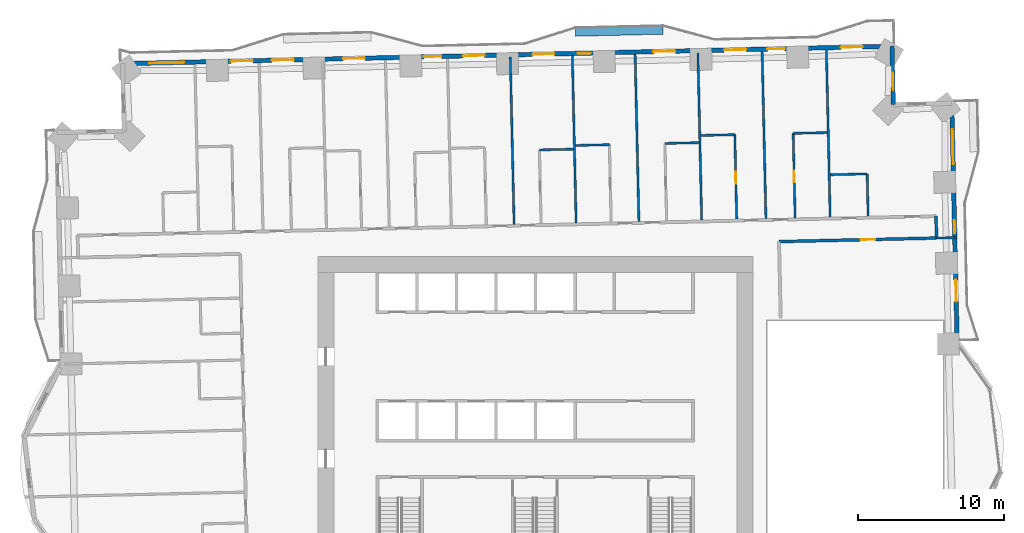
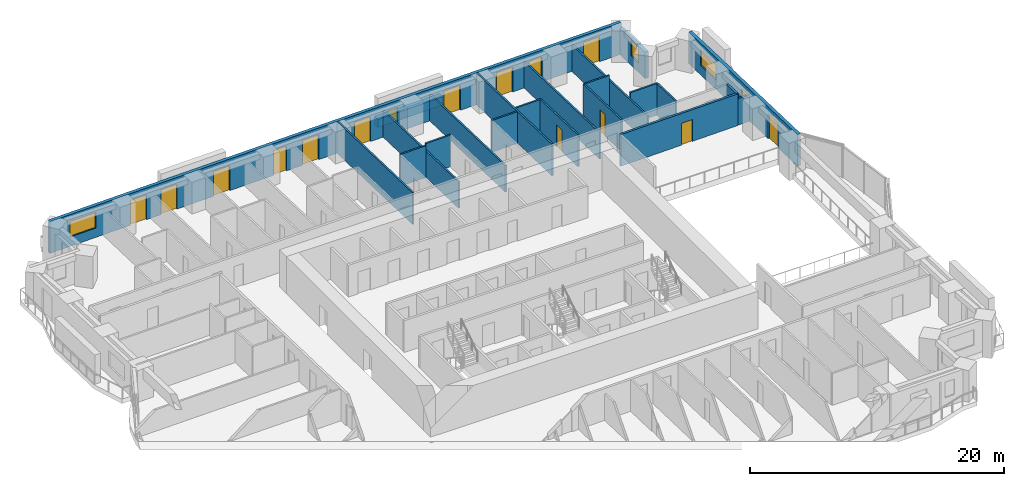
# One storey, part 11 of 16: 22 walls, 14 doors, 5 windows, 19 openings.
"""IFC4 building model written with IfcOpenShell, lengths in metres."""

from ifc_helpers import new_model, si_unit, direction, frame, frame_2d, origin, place, context, subcontext, project, spatial, rectangle, extrude, material, layer, layer_set, type_object, element, fill, save


model = new_model("IFC4")

# Units and contexts
model_context = context("Model", 3, precision=1e-05, world=origin(), true_north=direction((0.0, 1.0)))
body_context = subcontext(model_context, "Body", "Model", "MODEL_VIEW")
ifc_project = project(units=[si_unit("LENGTHUNIT", "METRE"), si_unit("AREAUNIT", "SQUARE_METRE"), si_unit("VOLUMEUNIT", "CUBIC_METRE"), si_unit("PLANEANGLEUNIT", "RADIAN"), si_unit("MASSUNIT", "GRAM", prefix="KILO")], contexts=[model_context])

# Site, building, storey
site_placement = place(None, origin())
site = spatial("IfcSite", under=ifc_project, at=site_placement, CompositionType="ELEMENT")
building_placement = place(site_placement, origin())
building = spatial("IfcBuilding", under=site, at=building_placement, Name="Mangrove Gate Tower", CompositionType="ELEMENT")
storey_placement = place(building_placement, frame((0.0, 0.0, 44.89990234375)))
storey = spatial("IfcBuildingStorey", under=building, at=storey_placement, Name="L10", CompositionType="ELEMENT", Elevation=44.89990234375)

# Wall, opening, door
ifc_material_1 = material(Name="Gypsum board on steel stud, EI 60", Category="steel")
ifc_layer_1 = layer(ifc_material_1, 0.199951171875)
ifc_layer_set_1 = layer_set([ifc_layer_1], Name="Corridor wall EI 60")
wall_type_1 = type_object("IfcWallType", Name="Corridor wall EI 60", PredefinedType="PARTITIONING", material=ifc_layer_set_1)
wall_1_placement = place(storey_placement, frame((16.678955078125, 12.91796875, 0.0), z_axis=(0.0, 0.0, 1.0), x_axis=(0.999742162372, 0.022707020428, 0.0)))
wall_1 = element("IfcWall", 1, at=wall_1_placement, inside=storey, type_object=wall_type_1, Name="WALL-L10-058", PredefinedType="PARTITIONING", context=body_context, shape_type="SweptSolid", body=[
    extrude(rectangle(XDim=10.794677734375, YDim=0.199951171875, at=frame_2d((5.3974609375, 0.0))), origin(), (0.0, 0.0, 1.0), 3.050048828125),
])
opening_1_placement = place(wall_1_placement, frame((5.597900390625, 0.0, 0.0)))
opening_1 = element("IfcOpeningElement", 2, at=opening_1_placement, cuts=wall_1, Name="Opening AD", PredefinedType="OPENING", context=body_context, shape_type="SweptSolid", body=[
    extrude(rectangle(XDim=1.0, YDim=2.10009765625, at=frame_2d((0.5, 1.050048828125))), frame((0.0, 0.10986328125, 0.0), z_axis=(0.0, -1.0, 0.0), x_axis=(1.0, 0.0, 0.0)), (0.0, 0.0, 1.0), 0.219970703125),
])
ifc_material_2 = material(Name="Timber door leaf", Category="wood")
door_type_1 = type_object("IfcDoorType", Name="Amenity door 1000", OperationType="SINGLE_SWING_LEFT", PredefinedType="DOOR", material=ifc_material_2)
door_1_placement = place(opening_1_placement, origin())
door_1 = element("IfcDoor", 3, at=door_1_placement, inside=storey, type_object=door_type_1, Name="DOOR-L10-KIT-c3b", OperationType="SINGLE_SWING_LEFT", OverallHeight=2.10009765625, OverallWidth=1.0, PredefinedType="DOOR", context=body_context, shape_type="SweptSolid", body=[
    extrude(rectangle(XDim=1.0, YDim=2.10009765625, at=frame_2d((0.5, 1.050048828125))), frame((0.0, 0.02490234375, 0.0), z_axis=(0.0, -1.0, 0.0), x_axis=(1.0, 0.0, 0.0)), (0.0, 0.0, 1.0), 0.050048828125),
])
fill(opening_1, door_1)

# Wall
wall_2_placement = place(storey_placement, frame((27.470947265625, 13.1630859375, 0.0), z_axis=(0.0, 0.0, 1.0), x_axis=(-0.022617910375, 0.999744182344, 0.0)))
element("IfcWall", 4, at=wall_2_placement, inside=storey, type_object=wall_type_1, Name="WALL-L10-060", PredefinedType="PARTITIONING", context=body_context, shape_type="SweptSolid", body=[
    extrude(rectangle(XDim=1.50048828125, YDim=0.199951171875, at=frame_2d((0.750244140625, 0.0))), origin(), (0.0, 0.0, 1.0), 3.050048828125),
])

# Wall, openings, door, windows
ifc_material_3 = material(Name="Limestone", Category="masonry")
ifc_layer_2 = layer(ifc_material_3, 0.0400390625, Name="Limestone cladding")
ifc_material_4 = material(Name="Ventilated air gap")
ifc_layer_3 = layer(ifc_material_4, 0.0400390625, Name="Ventilated cavity")
ifc_material_5 = material(Name="Mineral wool insulation")
ifc_layer_4 = layer(ifc_material_5, 0.06005859375, Name="Insulation")
ifc_material_6 = material(Name="Breather membrane")
ifc_layer_5 = layer(ifc_material_6, 0.001953125, Name="Breather membrane")
ifc_material_7 = material(Name="Concrete C20/25 blockwork", Category="masonry")
ifc_layer_6 = layer(ifc_material_7, 0.14990234375, Name="Blockwork backing wall")
ifc_material_8 = material(Name="Gypsum plaster")
ifc_layer_7 = layer(ifc_material_8, 0.008056640625, Name="Internal plaster")
ifc_layer_set_2 = layer_set([ifc_layer_2, ifc_layer_3, ifc_layer_4, ifc_layer_5, ifc_layer_6, ifc_layer_7], Name="External wall 300 limestone cladding")
wall_type_2 = type_object("IfcWallType", Name="External wall 300 limestone cladding", PredefinedType="SOLIDWALL", material=ifc_layer_set_2)
wall_3_placement = place(storey_placement, frame((28.886962890625, 5.864013671875, 0.0), z_axis=(0.0, 0.0, 1.0), x_axis=(-0.022687182773, 0.999742612745, 0.0)))
wall_3 = element("IfcWall", 5, at=wall_3_placement, inside=storey, type_object=wall_type_2, Name="WALL-L10-E2", PredefinedType="SOLIDWALL", context=body_context, shape_type="SweptSolid", body=[
    extrude(rectangle(XDim=16.529052734375, YDim=0.300048828125, at=frame_2d((8.2646484375, 0.0))), origin(), (0.0, 0.0, 1.0), 3.050048828125),
])
opening_2_placement = place(wall_3_placement, frame((2.94189453125, 0.0, 0.0)))
opening_2 = element("IfcOpeningElement", 6, at=opening_2_placement, cuts=wall_3, Name="Opening BD1", PredefinedType="OPENING", context=body_context, shape_type="SweptSolid", body=[
    extrude(rectangle(XDim=1.5, YDim=2.39990234375, at=frame_2d((0.75, 1.199951171875))), frame((0.0, 0.159912109375, 0.0), z_axis=(0.0, -1.0, 0.0), x_axis=(1.0, 0.0, 0.0)), (0.0, 0.0, 1.0), 0.320068359375),
])
opening_3_placement = place(wall_3_placement, frame((7.62890625, 0.0, 0.89990234375)))
opening_3 = element("IfcOpeningElement", 7, at=opening_3_placement, cuts=wall_3, Name="Opening W5", PredefinedType="OPENING", context=body_context, shape_type="SweptSolid", body=[
    extrude(rectangle(XDim=0.89990234375, YDim=1.5, at=frame_2d((0.449951171875, 0.75))), frame((0.0, 0.159912109375, 0.0), z_axis=(0.0, -1.0, 0.0), x_axis=(1.0, 0.0, 0.0)), (0.0, 0.0, 1.0), 0.320068359375),
])
opening_4_placement = place(wall_3_placement, frame((12.341064453125, 0.0, 0.89990234375)))
opening_4 = element("IfcOpeningElement", 8, at=opening_4_placement, cuts=wall_3, Name="Opening W2", PredefinedType="OPENING", context=body_context, shape_type="SweptSolid", body=[
    extrude(rectangle(XDim=2.39990234375, YDim=1.5, at=frame_2d((1.199951171875, 0.75))), frame((0.0, 0.159912109375, 0.0), z_axis=(0.0, -1.0, 0.0), x_axis=(1.0, 0.0, 0.0)), (0.0, 0.0, 1.0), 0.320068359375),
])
ifc_material_9 = material(Name="Aluminium frame with laminated clear glass", Category="aluminium")
door_type_2 = type_object("IfcDoorType", Name="Balcony sliding door 1500x2400", OperationType="SLIDING_TO_LEFT", PredefinedType="DOOR", material=ifc_material_9)
door_2_placement = place(opening_2_placement, origin())
door_2 = element("IfcDoor", 9, at=door_2_placement, inside=storey, type_object=door_type_2, Name="DOOR-L10-E2-1", OperationType="SLIDING_TO_LEFT", OverallHeight=2.39990234375, OverallWidth=1.5, PredefinedType="DOOR", context=body_context, shape_type="SweptSolid", body=[
    extrude(rectangle(XDim=1.5, YDim=2.39990234375, at=frame_2d((0.75, 1.199951171875))), frame((0.0, 0.02490234375, 0.0), z_axis=(0.0, -1.0, 0.0), x_axis=(1.0, 0.0, 0.0)), (0.0, 0.0, 1.0), 0.050048828125),
])
fill(opening_2, door_2)
ifc_material_10 = material(Name="Aluminium frame with double-glazed low-e glass", Category="aluminium")
window_type_1 = type_object("IfcWindowType", Name="Corner room window 2400x1500", PartitioningType="DOUBLE_PANEL_VERTICAL", PredefinedType="WINDOW", material=ifc_material_10)
window_1_placement = place(opening_4_placement, origin())
window_1 = element("IfcWindow", 10, at=window_1_placement, inside=storey, type_object=window_type_1, Name="WIN-L10-E2-3", OverallHeight=1.5, OverallWidth=2.39990234375, PartitioningType="DOUBLE_PANEL_VERTICAL", PredefinedType="WINDOW", context=body_context, shape_type="SweptSolid", body=[
    extrude(rectangle(XDim=2.39990234375, YDim=1.5, at=frame_2d((1.199951171875, 0.75))), frame((0.0, 0.030029296875, 0.0), z_axis=(0.0, -1.0, 0.0), x_axis=(1.0, 0.0, 0.0)), (0.0, 0.0, 1.0), 0.06005859375),
])
fill(opening_4, window_1)
ifc_material_11 = material(Name="Aluminium frame with double-glazed low-e glass", Category="aluminium")
window_type_2 = type_object("IfcWindowType", Name="Narrow window 900x1500", PartitioningType="SINGLE_PANEL", PredefinedType="WINDOW", material=ifc_material_11)
window_2_placement = place(opening_3_placement, origin())
window_2 = element("IfcWindow", 11, at=window_2_placement, inside=storey, type_object=window_type_2, Name="WIN-L10-E2-2", OverallHeight=1.5, OverallWidth=0.89990234375, PartitioningType="SINGLE_PANEL", PredefinedType="WINDOW", context=body_context, shape_type="SweptSolid", body=[
    extrude(rectangle(XDim=0.89990234375, YDim=1.5, at=frame_2d((0.449951171875, 0.75))), frame((0.0, 0.030029296875, 0.0), z_axis=(0.0, -1.0, 0.0), x_axis=(1.0, 0.0, 0.0)), (0.0, 0.0, 1.0), 0.06005859375),
])
fill(opening_3, window_2)

# Wall, opening, window
wall_4_placement = place(storey_placement, frame((24.512939453125, 22.299072265625, 0.0), z_axis=(0.0, 0.0, 1.0), x_axis=(-0.022460754759, 0.999747725427, 0.0)))
wall_4 = element("IfcWall", 12, at=wall_4_placement, inside=storey, type_object=wall_type_2, Name="WALL-L10-E4", PredefinedType="SOLIDWALL", context=body_context, shape_type="SweptSolid", body=[
    extrude(rectangle(XDim=4.0, YDim=0.300048828125, at=frame_2d((2.0, 0.0))), origin(), (0.0, 0.0, 1.0), 2.550048828125),
])
opening_5_placement = place(wall_4_placement, frame((0.97900390625, 0.0, 0.89990234375)))
opening_5 = element("IfcOpeningElement", 13, at=opening_5_placement, cuts=wall_4, Name="Opening W1", PredefinedType="OPENING", context=body_context, shape_type="SweptSolid", body=[
    extrude(rectangle(XDim=1.199951171875, YDim=1.5, at=frame_2d((0.60009765625, 0.75))), frame((0.0, 0.159912109375, 0.0), z_axis=(0.0, -1.0, 0.0), x_axis=(1.0, 0.0, 0.0)), (0.0, 0.0, 1.0), 0.320068359375),
])
ifc_material_12 = material(Name="Aluminium frame with double-glazed low-e glass", Category="aluminium")
window_type_3 = type_object("IfcWindowType", Name="Side lite 1200x1500", PartitioningType="SINGLE_PANEL", PredefinedType="WINDOW", material=ifc_material_12)
window_3_placement = place(opening_5_placement, origin())
window_3 = element("IfcWindow", 14, at=window_3_placement, inside=storey, type_object=window_type_3, Name="WIN-L10-E4-1", OverallHeight=1.5, OverallWidth=1.199951171875, PartitioningType="SINGLE_PANEL", PredefinedType="WINDOW", context=body_context, shape_type="SweptSolid", body=[
    extrude(rectangle(XDim=1.199951171875, YDim=1.5, at=frame_2d((0.60009765625, 0.75))), frame((0.0, 0.030029296875, 0.0), z_axis=(0.0, -1.0, 0.0), x_axis=(1.0, 0.0, 0.0)), (0.0, 0.0, 1.0), 0.06005859375),
])
fill(opening_5, window_3)

# Wall, openings, doors, windows
wall_5_placement = place(storey_placement, frame((24.423095703125, 26.298095703125, 0.0), z_axis=(0.0, 0.0, 1.0), x_axis=(-0.999742433108, -0.022695097355, 0.0)))
wall_5 = element("IfcWall", 15, at=wall_5_placement, inside=storey, type_object=wall_type_2, Name="WALL-L10-N5", PredefinedType="SOLIDWALL", context=body_context, shape_type="SweptSolid", body=[
    extrude(rectangle(XDim=52.70068359375, YDim=0.300048828125, at=frame_2d((26.350341796875, 0.0))), origin(), (0.0, 0.0, 1.0), 3.050048828125),
])
opening_6_placement = place(wall_5_placement, frame((2.009033203125, 0.0, 0.0)))
opening_6 = element("IfcOpeningElement", 16, at=opening_6_placement, cuts=wall_5, Name="Opening BD1", PredefinedType="OPENING", context=body_context, shape_type="SweptSolid", body=[
    extrude(rectangle(XDim=1.5, YDim=2.39990234375, at=frame_2d((0.75, 1.199951171875))), frame((0.0, 0.159912109375, 0.0), z_axis=(0.0, -1.0, 0.0), x_axis=(1.0, 0.0, 0.0)), (0.0, 0.0, 1.0), 0.320068359375),
])
opening_7_placement = place(wall_5_placement, frame((7.3369140625, 0.0, 0.0)))
opening_7 = element("IfcOpeningElement", 17, at=opening_7_placement, cuts=wall_5, Name="Opening BD2", PredefinedType="OPENING", context=body_context, shape_type="SweptSolid", body=[
    extrude(rectangle(XDim=1.199951171875, YDim=2.39990234375, at=frame_2d((0.60009765625, 1.199951171875))), frame((0.0, 0.159912109375, 0.0), z_axis=(0.0, -1.0, 0.0), x_axis=(1.0, 0.0, 0.0)), (0.0, 0.0, 1.0), 0.320068359375),
])
opening_8_placement = place(wall_5_placement, frame((10.0, 0.0, 0.0)))
opening_8 = element("IfcOpeningElement", 18, at=opening_8_placement, cuts=wall_5, Name="Opening BD1", PredefinedType="OPENING", context=body_context, shape_type="SweptSolid", body=[
    extrude(rectangle(XDim=1.5, YDim=2.39990234375, at=frame_2d((0.75, 1.199951171875))), frame((0.0, 0.159912109375, 0.0), z_axis=(0.0, -1.0, 0.0), x_axis=(1.0, 0.0, 0.0)), (0.0, 0.0, 1.0), 0.320068359375),
])
opening_9_placement = place(wall_5_placement, frame((14.85009765625, 0.0, 0.0)))
opening_9 = element("IfcOpeningElement", 19, at=opening_9_placement, cuts=wall_5, Name="Opening BD1", PredefinedType="OPENING", context=body_context, shape_type="SweptSolid", body=[
    extrude(rectangle(XDim=1.5, YDim=2.39990234375, at=frame_2d((0.75, 1.199951171875))), frame((0.0, 0.159912109375, 0.0), z_axis=(0.0, -1.0, 0.0), x_axis=(1.0, 0.0, 0.0)), (0.0, 0.0, 1.0), 0.320068359375),
])
opening_10_placement = place(wall_5_placement, frame((20.637939453125, 0.0, 0.89990234375)))
opening_10 = element("IfcOpeningElement", 20, at=opening_10_placement, cuts=wall_5, Name="Opening W5", PredefinedType="OPENING", context=body_context, shape_type="SweptSolid", body=[
    extrude(rectangle(XDim=0.89990234375, YDim=1.5, at=frame_2d((0.449951171875, 0.75))), frame((0.0, 0.159912109375, 0.0), z_axis=(0.0, -1.0, 0.0), x_axis=(1.0, 0.0, 0.0)), (0.0, 0.0, 1.0), 0.320068359375),
])
opening_11_placement = place(wall_5_placement, frame((23.125, 0.0, 0.0)))
opening_11 = element("IfcOpeningElement", 21, at=opening_11_placement, cuts=wall_5, Name="Opening BD1", PredefinedType="OPENING", context=body_context, shape_type="SweptSolid", body=[
    extrude(rectangle(XDim=1.5, YDim=2.39990234375, at=frame_2d((0.75, 1.199951171875))), frame((0.0, 0.159912109375, 0.0), z_axis=(0.0, -1.0, 0.0), x_axis=(1.0, 0.0, 0.0)), (0.0, 0.0, 1.0), 0.320068359375),
])
opening_12_placement = place(wall_5_placement, frame((27.89990234375, 0.0, 0.0)))
opening_12 = element("IfcOpeningElement", 22, at=opening_12_placement, cuts=wall_5, Name="Opening BD1", PredefinedType="OPENING", context=body_context, shape_type="SweptSolid", body=[
    extrude(rectangle(XDim=1.5, YDim=2.39990234375, at=frame_2d((0.75, 1.199951171875))), frame((0.0, 0.159912109375, 0.0), z_axis=(0.0, -1.0, 0.0), x_axis=(1.0, 0.0, 0.0)), (0.0, 0.0, 1.0), 0.320068359375),
])
opening_13_placement = place(wall_5_placement, frame((30.862060546875, 0.0, 0.0)))
opening_13 = element("IfcOpeningElement", 23, at=opening_13_placement, cuts=wall_5, Name="Opening BD2", PredefinedType="OPENING", context=body_context, shape_type="SweptSolid", body=[
    extrude(rectangle(XDim=1.199951171875, YDim=2.39990234375, at=frame_2d((0.60009765625, 1.199951171875))), frame((0.0, 0.159912109375, 0.0), z_axis=(0.0, -1.0, 0.0), x_axis=(1.0, 0.0, 0.0)), (0.0, 0.0, 1.0), 0.320068359375),
])
opening_14_placement = place(wall_5_placement, frame((36.10009765625, 0.0, 0.0)))
opening_14 = element("IfcOpeningElement", 24, at=opening_14_placement, cuts=wall_5, Name="Opening BD1", PredefinedType="OPENING", context=body_context, shape_type="SweptSolid", body=[
    extrude(rectangle(XDim=1.5, YDim=2.39990234375, at=frame_2d((0.75, 1.199951171875))), frame((0.0, 0.159912109375, 0.0), z_axis=(0.0, -1.0, 0.0), x_axis=(1.0, 0.0, 0.0)), (0.0, 0.0, 1.0), 0.320068359375),
])
opening_15_placement = place(wall_5_placement, frame((40.97509765625, 0.0, 0.0)))
opening_15 = element("IfcOpeningElement", 25, at=opening_15_placement, cuts=wall_5, Name="Opening BD1", PredefinedType="OPENING", context=body_context, shape_type="SweptSolid", body=[
    extrude(rectangle(XDim=1.5, YDim=2.39990234375, at=frame_2d((0.75, 1.199951171875))), frame((0.0, 0.159912109375, 0.0), z_axis=(0.0, -1.0, 0.0), x_axis=(1.0, 0.0, 0.0)), (0.0, 0.0, 1.0), 0.320068359375),
])
opening_16_placement = place(wall_5_placement, frame((43.7880859375, 0.0, 0.0)))
opening_16 = element("IfcOpeningElement", 26, at=opening_16_placement, cuts=wall_5, Name="Opening BD1", PredefinedType="OPENING", context=body_context, shape_type="SweptSolid", body=[
    extrude(rectangle(XDim=1.5, YDim=2.39990234375, at=frame_2d((0.75, 1.199951171875))), frame((0.0, 0.159912109375, 0.0), z_axis=(0.0, -1.0, 0.0), x_axis=(1.0, 0.0, 0.0)), (0.0, 0.0, 1.0), 0.320068359375),
])
opening_17_placement = place(wall_5_placement, frame((48.464111328125, 0.0, 0.89990234375)))
opening_17 = element("IfcOpeningElement", 27, at=opening_17_placement, cuts=wall_5, Name="Opening W2", PredefinedType="OPENING", context=body_context, shape_type="SweptSolid", body=[
    extrude(rectangle(XDim=2.39990234375, YDim=1.5, at=frame_2d((1.199951171875, 0.75))), frame((0.0, 0.159912109375, 0.0), z_axis=(0.0, -1.0, 0.0), x_axis=(1.0, 0.0, 0.0)), (0.0, 0.0, 1.0), 0.320068359375),
])
ifc_material_13 = material(Name="Aluminium frame with laminated clear glass", Category="aluminium")
door_type_3 = type_object("IfcDoorType", Name="Balcony sliding door 1200x2400", OperationType="SLIDING_TO_LEFT", PredefinedType="DOOR", material=ifc_material_13)
door_3_placement = place(opening_7_placement, origin())
door_3 = element("IfcDoor", 28, at=door_3_placement, inside=storey, type_object=door_type_3, Name="DOOR-L10-N5-2", OperationType="SLIDING_TO_LEFT", OverallHeight=2.39990234375, OverallWidth=1.199951171875, PredefinedType="DOOR", context=body_context, shape_type="SweptSolid", body=[
    extrude(rectangle(XDim=1.199951171875, YDim=2.39990234375, at=frame_2d((0.60009765625, 1.199951171875))), frame((0.0, 0.02490234375, 0.0), z_axis=(0.0, -1.0, 0.0), x_axis=(1.0, 0.0, 0.0)), (0.0, 0.0, 1.0), 0.050048828125),
])
fill(opening_7, door_3)
door_4_placement = place(opening_13_placement, origin())
door_4 = element("IfcDoor", 29, at=door_4_placement, inside=storey, type_object=door_type_3, Name="DOOR-L10-N5-8", OperationType="SLIDING_TO_LEFT", OverallHeight=2.39990234375, OverallWidth=1.199951171875, PredefinedType="DOOR", context=body_context, shape_type="SweptSolid", body=[
    extrude(rectangle(XDim=1.199951171875, YDim=2.39990234375, at=frame_2d((0.60009765625, 1.199951171875))), frame((0.0, 0.02490234375, 0.0), z_axis=(0.0, -1.0, 0.0), x_axis=(1.0, 0.0, 0.0)), (0.0, 0.0, 1.0), 0.050048828125),
])
fill(opening_13, door_4)
door_5_placement = place(opening_6_placement, origin())
door_5 = element("IfcDoor", 30, at=door_5_placement, inside=storey, type_object=door_type_2, Name="DOOR-L10-N5-1", OperationType="SLIDING_TO_LEFT", OverallHeight=2.39990234375, OverallWidth=1.5, PredefinedType="DOOR", context=body_context, shape_type="SweptSolid", body=[
    extrude(rectangle(XDim=1.5, YDim=2.39990234375, at=frame_2d((0.75, 1.199951171875))), frame((0.0, 0.02490234375, 0.0), z_axis=(0.0, -1.0, 0.0), x_axis=(1.0, 0.0, 0.0)), (0.0, 0.0, 1.0), 0.050048828125),
])
fill(opening_6, door_5)
door_6_placement = place(opening_8_placement, origin())
door_6 = element("IfcDoor", 31, at=door_6_placement, inside=storey, type_object=door_type_2, Name="DOOR-L10-N5-3", OperationType="SLIDING_TO_LEFT", OverallHeight=2.39990234375, OverallWidth=1.5, PredefinedType="DOOR", context=body_context, shape_type="SweptSolid", body=[
    extrude(rectangle(XDim=1.5, YDim=2.39990234375, at=frame_2d((0.75, 1.199951171875))), frame((0.0, 0.02490234375, 0.0), z_axis=(0.0, -1.0, 0.0), x_axis=(1.0, 0.0, 0.0)), (0.0, 0.0, 1.0), 0.050048828125),
])
fill(opening_8, door_6)
door_7_placement = place(opening_9_placement, origin())
door_7 = element("IfcDoor", 32, at=door_7_placement, inside=storey, type_object=door_type_2, Name="DOOR-L10-N5-4", OperationType="SLIDING_TO_LEFT", OverallHeight=2.39990234375, OverallWidth=1.5, PredefinedType="DOOR", context=body_context, shape_type="SweptSolid", body=[
    extrude(rectangle(XDim=1.5, YDim=2.39990234375, at=frame_2d((0.75, 1.199951171875))), frame((0.0, 0.02490234375, 0.0), z_axis=(0.0, -1.0, 0.0), x_axis=(1.0, 0.0, 0.0)), (0.0, 0.0, 1.0), 0.050048828125),
])
fill(opening_9, door_7)
door_8_placement = place(opening_11_placement, origin())
door_8 = element("IfcDoor", 33, at=door_8_placement, inside=storey, type_object=door_type_2, Name="DOOR-L10-N5-6", OperationType="SLIDING_TO_LEFT", OverallHeight=2.39990234375, OverallWidth=1.5, PredefinedType="DOOR", context=body_context, shape_type="SweptSolid", body=[
    extrude(rectangle(XDim=1.5, YDim=2.39990234375, at=frame_2d((0.75, 1.199951171875))), frame((0.0, 0.02490234375, 0.0), z_axis=(0.0, -1.0, 0.0), x_axis=(1.0, 0.0, 0.0)), (0.0, 0.0, 1.0), 0.050048828125),
])
fill(opening_11, door_8)
door_9_placement = place(opening_12_placement, origin())
door_9 = element("IfcDoor", 34, at=door_9_placement, inside=storey, type_object=door_type_2, Name="DOOR-L10-N5-7", OperationType="SLIDING_TO_LEFT", OverallHeight=2.39990234375, OverallWidth=1.5, PredefinedType="DOOR", context=body_context, shape_type="SweptSolid", body=[
    extrude(rectangle(XDim=1.5, YDim=2.39990234375, at=frame_2d((0.75, 1.199951171875))), frame((0.0, 0.02490234375, 0.0), z_axis=(0.0, -1.0, 0.0), x_axis=(1.0, 0.0, 0.0)), (0.0, 0.0, 1.0), 0.050048828125),
])
fill(opening_12, door_9)
door_10_placement = place(opening_14_placement, origin())
door_10 = element("IfcDoor", 35, at=door_10_placement, inside=storey, type_object=door_type_2, Name="DOOR-L10-N5-9", OperationType="SLIDING_TO_LEFT", OverallHeight=2.39990234375, OverallWidth=1.5, PredefinedType="DOOR", context=body_context, shape_type="SweptSolid", body=[
    extrude(rectangle(XDim=1.5, YDim=2.39990234375, at=frame_2d((0.75, 1.199951171875))), frame((0.0, 0.02490234375, 0.0), z_axis=(0.0, -1.0, 0.0), x_axis=(1.0, 0.0, 0.0)), (0.0, 0.0, 1.0), 0.050048828125),
])
fill(opening_14, door_10)
door_11_placement = place(opening_15_placement, origin())
door_11 = element("IfcDoor", 36, at=door_11_placement, inside=storey, type_object=door_type_2, Name="DOOR-L10-N5-10", OperationType="SLIDING_TO_LEFT", OverallHeight=2.39990234375, OverallWidth=1.5, PredefinedType="DOOR", context=body_context, shape_type="SweptSolid", body=[
    extrude(rectangle(XDim=1.5, YDim=2.39990234375, at=frame_2d((0.75, 1.199951171875))), frame((0.0, 0.02490234375, 0.0), z_axis=(0.0, -1.0, 0.0), x_axis=(1.0, 0.0, 0.0)), (0.0, 0.0, 1.0), 0.050048828125),
])
fill(opening_15, door_11)
door_12_placement = place(opening_16_placement, origin())
door_12 = element("IfcDoor", 37, at=door_12_placement, inside=storey, type_object=door_type_2, Name="DOOR-L10-N5-11", OperationType="SLIDING_TO_LEFT", OverallHeight=2.39990234375, OverallWidth=1.5, PredefinedType="DOOR", context=body_context, shape_type="SweptSolid", body=[
    extrude(rectangle(XDim=1.5, YDim=2.39990234375, at=frame_2d((0.75, 1.199951171875))), frame((0.0, 0.02490234375, 0.0), z_axis=(0.0, -1.0, 0.0), x_axis=(1.0, 0.0, 0.0)), (0.0, 0.0, 1.0), 0.050048828125),
])
fill(opening_16, door_12)
window_4_placement = place(opening_17_placement, origin())
window_4 = element("IfcWindow", 38, at=window_4_placement, inside=storey, type_object=window_type_1, Name="WIN-L10-N5-12", OverallHeight=1.5, OverallWidth=2.39990234375, PartitioningType="DOUBLE_PANEL_VERTICAL", PredefinedType="WINDOW", context=body_context, shape_type="SweptSolid", body=[
    extrude(rectangle(XDim=2.39990234375, YDim=1.5, at=frame_2d((1.199951171875, 0.75))), frame((0.0, 0.030029296875, 0.0), z_axis=(0.0, -1.0, 0.0), x_axis=(1.0, 0.0, 0.0)), (0.0, 0.0, 1.0), 0.06005859375),
])
fill(opening_17, window_4)
window_5_placement = place(opening_10_placement, origin())
window_5 = element("IfcWindow", 39, at=window_5_placement, inside=storey, type_object=window_type_2, Name="WIN-L10-N5-5", OverallHeight=1.5, OverallWidth=0.89990234375, PartitioningType="SINGLE_PANEL", PredefinedType="WINDOW", context=body_context, shape_type="SweptSolid", body=[
    extrude(rectangle(XDim=0.89990234375, YDim=1.5, at=frame_2d((0.449951171875, 0.75))), frame((0.0, 0.030029296875, 0.0), z_axis=(0.0, -1.0, 0.0), x_axis=(1.0, 0.0, 0.0)), (0.0, 0.0, 1.0), 0.06005859375),
])
fill(opening_10, window_5)

# Walls
ifc_material_14 = material(Name="Gypsum board on steel stud, EI 60", Category="steel")
ifc_layer_8 = layer(ifc_material_14, 0.14990234375)
ifc_layer_set_3 = layer_set([ifc_layer_8], Name="Party wall 150 EI 60")
wall_type_3 = type_object("IfcWallType", Name="Party wall 150 EI 60", PredefinedType="PARTITIONING", material=ifc_layer_set_3)
wall_6_placement = place(storey_placement, frame((27.470947265625, 13.1630859375, 0.0), z_axis=(0.0, 0.0, 1.0), x_axis=(0.999739219063, 0.022836240226, 0.0)))
element("IfcWall", 40, at=wall_6_placement, inside=storey, type_object=wall_type_3, Name="WALL-L10-059", PredefinedType="PARTITIONING", context=body_context, shape_type="SweptSolid", body=[
    extrude(rectangle(XDim=1.400390625, YDim=0.14990234375, at=frame_2d((0.7001953125, 0.0))), origin(), (0.0, 0.0, 1.0), 2.550048828125),
])
wall_7_placement = place(storey_placement, frame((-1.45703125, 14.10693359375, 0.0), z_axis=(0.0, 0.0, 1.0), x_axis=(-0.022706391805, 0.999742176649, 0.0)))
element("IfcWall", 41, at=wall_7_placement, inside=storey, type_object=wall_type_3, Name="WALL-L10-073", PredefinedType="PARTITIONING", context=body_context, shape_type="SweptSolid", body=[
    extrude(rectangle(XDim=11.450927734375, YDim=0.14990234375, at=frame_2d((5.7255859375, 0.0))), origin(), (0.0, 0.0, 1.0), 3.050048828125),
])
wall_8_placement = place(storey_placement, frame((2.791015625, 14.2041015625, 0.0), z_axis=(0.0, 0.0, 1.0), x_axis=(-0.022623564427, 0.999744054412, 0.0)))
element("IfcWall", 42, at=wall_8_placement, inside=storey, type_object=wall_type_3, Name="WALL-L10-075", PredefinedType="PARTITIONING", context=body_context, shape_type="SweptSolid", body=[
    extrude(rectangle(XDim=11.44970703125, YDim=0.14990234375, at=frame_2d((5.724853515625, 0.0))), origin(), (0.0, 0.0, 1.0), 2.550048828125),
])
wall_9_placement = place(storey_placement, frame((7.090087890625, 14.301025390625, 0.0), z_axis=(0.0, 0.0, 1.0), x_axis=(-0.022621153305, 0.999744108971, 0.0)))
element("IfcWall", 43, at=wall_9_placement, inside=storey, type_object=wall_type_3, Name="WALL-L10-077", PredefinedType="PARTITIONING", context=body_context, shape_type="SweptSolid", body=[
    extrude(rectangle(XDim=11.450927734375, YDim=0.14990234375, at=frame_2d((5.7255859375, 0.0))), origin(), (0.0, 0.0, 1.0), 2.550048828125),
])
wall_10_placement = place(storey_placement, frame((11.388916015625, 14.39892578125, 0.0), z_axis=(0.0, 0.0, 1.0), x_axis=(-0.022708327922, 0.999742132674, 0.0)))
element("IfcWall", 44, at=wall_10_placement, inside=storey, type_object=wall_type_3, Name="WALL-L10-079", PredefinedType="PARTITIONING", context=body_context, shape_type="SweptSolid", body=[
    extrude(rectangle(XDim=11.449951171875, YDim=0.14990234375, at=frame_2d((5.72509765625, 0.0))), origin(), (0.0, 0.0, 1.0), 3.050048828125),
])

# Wall, opening, door
wall_11_placement = place(storey_placement, frame((13.7890625, 14.452880859375, 0.0), z_axis=(0.0, 0.0, 1.0), x_axis=(-0.022809516176, 0.999739829141, 0.0)))
wall_11 = element("IfcWall", 45, at=wall_11_placement, inside=storey, type_object=wall_type_3, Name="WALL-L10-080", PredefinedType="PARTITIONING", context=body_context, shape_type="SweptSolid", body=[
    extrude(rectangle(XDim=5.79052734375, YDim=0.14990234375, at=frame_2d((2.895263671875, 0.0))), origin(), (0.0, 0.0, 1.0), 3.050048828125),
])
opening_18_placement = place(wall_11_placement, frame((2.445068359375, 0.0, 0.0)))
opening_18 = element("IfcOpeningElement", 46, at=opening_18_placement, cuts=wall_11, Name="Opening ED", PredefinedType="OPENING", context=body_context, shape_type="SweptSolid", body=[
    extrude(rectangle(XDim=0.800048828125, YDim=2.10009765625, at=frame_2d((0.39990234375, 1.050048828125))), frame((0.0, 0.0849609375, 0.0), z_axis=(0.0, -1.0, 0.0), x_axis=(1.0, 0.0, 0.0)), (0.0, 0.0, 1.0), 0.169921875),
])
ifc_material_15 = material(Name="Timber door leaf", Category="wood")
door_type_4 = type_object("IfcDoorType", Name="En-suite door 800", OperationType="SINGLE_SWING_LEFT", PredefinedType="DOOR", material=ifc_material_15)
door_13_placement = place(opening_18_placement, origin())
door_13 = element("IfcDoor", 47, at=door_13_placement, inside=storey, type_object=door_type_4, Name="DOOR-L10-ENS-c311", OperationType="SINGLE_SWING_LEFT", OverallHeight=2.10009765625, OverallWidth=0.800048828125, PredefinedType="DOOR", context=body_context, shape_type="SweptSolid", body=[
    extrude(rectangle(XDim=0.800048828125, YDim=2.10009765625, at=frame_2d((0.39990234375, 1.050048828125))), frame((0.0, 0.02490234375, 0.0), z_axis=(0.0, -1.0, 0.0), x_axis=(1.0, 0.0, 0.0)), (0.0, 0.0, 1.0), 0.050048828125),
])
fill(opening_18, door_13)

# Wall
wall_12_placement = place(storey_placement, frame((15.7880859375, 14.4990234375, 0.0), z_axis=(0.0, 0.0, 1.0), x_axis=(-0.022708327922, 0.999742132674, 0.0)))
element("IfcWall", 48, at=wall_12_placement, inside=storey, type_object=wall_type_3, Name="WALL-L10-081", PredefinedType="PARTITIONING", context=body_context, shape_type="SweptSolid", body=[
    extrude(rectangle(XDim=11.449951171875, YDim=0.14990234375, at=frame_2d((5.72509765625, 0.0))), origin(), (0.0, 0.0, 1.0), 2.550048828125),
])

# Wall, opening, door
wall_13_placement = place(storey_placement, frame((17.7880859375, 14.5439453125, 0.0), z_axis=(0.0, 0.0, 1.0), x_axis=(-0.022809516176, 0.999739829141, 0.0)))
wall_13 = element("IfcWall", 49, at=wall_13_placement, inside=storey, type_object=wall_type_3, Name="WALL-L10-082", PredefinedType="PARTITIONING", context=body_context, shape_type="SweptSolid", body=[
    extrude(rectangle(XDim=5.79052734375, YDim=0.14990234375, at=frame_2d((2.895263671875, 0.0))), origin(), (0.0, 0.0, 1.0), 3.050048828125),
])
opening_19_placement = place(wall_13_placement, frame((2.445068359375, 0.0, 0.0)))
opening_19 = element("IfcOpeningElement", 50, at=opening_19_placement, cuts=wall_13, Name="Opening ED", PredefinedType="OPENING", context=body_context, shape_type="SweptSolid", body=[
    extrude(rectangle(XDim=0.800048828125, YDim=2.10009765625, at=frame_2d((0.39990234375, 1.050048828125))), frame((0.0, 0.0849609375, 0.0), z_axis=(0.0, -1.0, 0.0), x_axis=(1.0, 0.0, 0.0)), (0.0, 0.0, 1.0), 0.169921875),
])
door_14_placement = place(opening_19_placement, origin())
door_14 = element("IfcDoor", 51, at=door_14_placement, inside=storey, type_object=door_type_4, Name="DOOR-L10-ENS-c310", OperationType="SINGLE_SWING_RIGHT", OverallHeight=2.10009765625, OverallWidth=0.800048828125, PredefinedType="DOOR", context=body_context, shape_type="SweptSolid", body=[
    extrude(rectangle(XDim=0.800048828125, YDim=2.10009765625, at=frame_2d((0.39990234375, 1.050048828125))), frame((0.0, 0.02490234375, 0.0), z_axis=(0.0, -1.0, 0.0), x_axis=(1.0, 0.0, 0.0)), (0.0, 0.0, 1.0), 0.050048828125),
])
fill(opening_19, door_14)

# Walls
wall_14_placement = place(storey_placement, frame((20.18701171875, 14.597900390625, 0.0), z_axis=(0.0, 0.0, 1.0), x_axis=(-0.022706391805, 0.999742176649, 0.0)))
element("IfcWall", 52, at=wall_14_placement, inside=storey, type_object=wall_type_3, Name="WALL-L10-083", PredefinedType="PARTITIONING", context=body_context, shape_type="SweptSolid", body=[
    extrude(rectangle(XDim=11.450927734375, YDim=0.14990234375, at=frame_2d((5.7255859375, 0.0))), origin(), (0.0, 0.0, 1.0), 2.550048828125),
])
wall_15_placement = place(storey_placement, frame((22.785888671875, 14.656982421875, 0.0), z_axis=(0.0, 0.0, 1.0), x_axis=(-0.022388729138, 0.999749340989, 0.0)))
element("IfcWall", 53, at=wall_15_placement, inside=storey, type_object=wall_type_3, Name="WALL-L10-084", PredefinedType="PARTITIONING", context=body_context, shape_type="SweptSolid", body=[
    extrude(rectangle(XDim=2.900634765625, YDim=0.14990234375, at=frame_2d((1.4501953125, 0.0))), origin(), (0.0, 0.0, 1.0), 3.050048828125),
])
wall_16_placement = place(storey_placement, frame((20.196044921875, 17.4990234375, 0.0), z_axis=(0.0, 0.0, 1.0), x_axis=(0.999737525802, 0.022910248851, 0.0)))
element("IfcWall", 54, at=wall_16_placement, inside=storey, type_object=wall_type_3, Name="WALL-L10-086", PredefinedType="PARTITIONING", context=body_context, shape_type="SweptSolid", body=[
    extrude(rectangle(XDim=2.525634765625, YDim=0.14990234375, at=frame_2d((1.2626953125, 0.0))), origin(), (0.0, 0.0, 1.0), 3.050048828125),
])
for number, where, z_axis, x_axis, name in (
    (55, (0.277099609375, 19.197998046875, 0.0), (0.0, 0.0, 1.0), (0.999740478815, 0.022781023197, 0.0), "WALL-L10-088"),
    (56, (2.74609375, 19.50390625, 0.0), (0.0, 0.0, 1.0), (0.999740478815, 0.022781023197, 0.0), "WALL-L10-091"),
):
    element("IfcWall", number, at=place(storey_placement, frame(where, z_axis=z_axis, x_axis=x_axis)), inside=storey, type_object=wall_type_3, Name=name, PredefinedType="PARTITIONING", context=body_context, shape_type="SweptSolid", body=[
        extrude(rectangle(XDim=2.325439453125, YDim=0.14990234375, at=frame_2d((1.16259765625, 0.0))), origin(), (0.0, 0.0, 1.0), 3.050048828125),
    ])
for number, where, z_axis, x_axis, name in (
    (57, (8.8701171875, 19.64306640625, 0.0), (0.0, 0.0, 1.0), (0.999740260747, 0.02279059109, 0.0), "WALL-L10-092"),
    (58, (11.3330078125, 20.18896484375, 0.0), (0.0, 0.0, 1.0), (0.999740260747, 0.02279059109, 0.0), "WALL-L10-095"),
):
    element("IfcWall", number, at=place(storey_placement, frame(where, z_axis=z_axis, x_axis=x_axis)), inside=storey, type_object=wall_type_3, Name=name, PredefinedType="PARTITIONING", context=body_context, shape_type="SweptSolid", body=[
        extrude(rectangle(XDim=2.324462890625, YDim=0.14990234375, at=frame_2d((1.162109375, 0.0))), origin(), (0.0, 0.0, 1.0), 3.050048828125),
    ])
wall_17_placement = place(storey_placement, frame((17.656005859375, 20.3330078125, 0.0), z_axis=(0.0, 0.0, 1.0), x_axis=(0.999749954681, 0.022361308448, 0.0)))
element("IfcWall", 59, at=wall_17_placement, inside=storey, type_object=wall_type_3, Name="WALL-L10-096", PredefinedType="PARTITIONING", context=body_context, shape_type="SweptSolid", body=[
    extrude(rectangle(XDim=2.325439453125, YDim=0.14990234375, at=frame_2d((1.16259765625, 0.0))), origin(), (0.0, 0.0, 1.0), 3.050048828125),
])
ifc_material_16 = material(Name="Concrete C32/40", Category="concrete")
ifc_layer_9 = layer(ifc_material_16, 0.199951171875, Name="Planter trough wall")
ifc_material_17 = material(Name="Bituminous waterproofing membrane")
ifc_layer_10 = layer(ifc_material_17, 0.0048828125, Name="Waterproofing")
ifc_material_18 = material(Name="Drainage board and gravel")
ifc_layer_11 = layer(ifc_material_18, 0.044921875, Name="Drainage layer")
ifc_material_19 = material(Name="Planting soil")
ifc_layer_12 = layer(ifc_material_19, 0.300048828125, Name="Growing medium")
ifc_layer_set_4 = layer_set([ifc_layer_9, ifc_layer_10, ifc_layer_11, ifc_layer_12], Name="Planter wall 550 C32/40")
wall_type_4 = type_object("IfcWallType", Name="Planter wall 550 C32/40", PredefinedType="USERDEFINED", material=ifc_layer_set_4)
wall_18_placement = place(storey_placement, frame((2.74609375, 27.256103515625, 0.0), z_axis=(0.0, 0.0, 1.0), x_axis=(0.999743073592, 0.022666865795, 0.0)))
element("IfcWall", 60, at=wall_18_placement, inside=storey, type_object=wall_type_4, Name="PLANTER L10 N0.1", ObjectType="PLANTER", PredefinedType="USERDEFINED", context=body_context, shape_type="SweptSolid", body=[
    extrude(rectangle(XDim=5.999267578125, YDim=0.550048828125, at=frame_2d((2.99951171875, 0.0))), origin(), (0.0, 0.0, 1.0), 0.800048828125),
])

save(model, "model.ifc")
